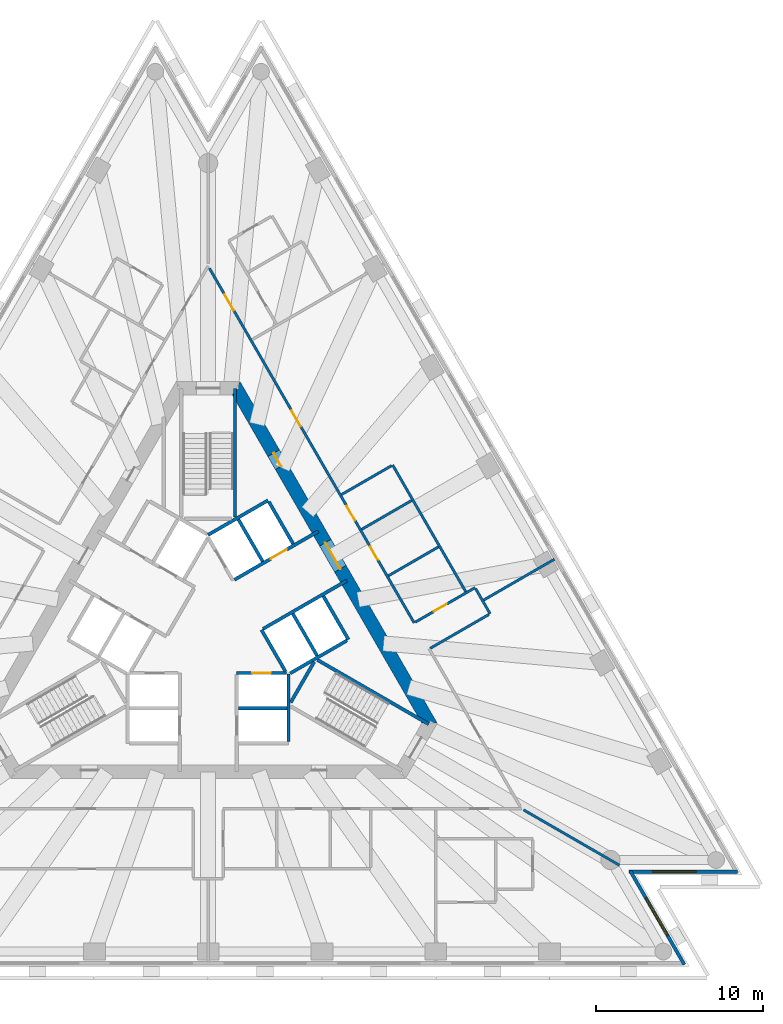
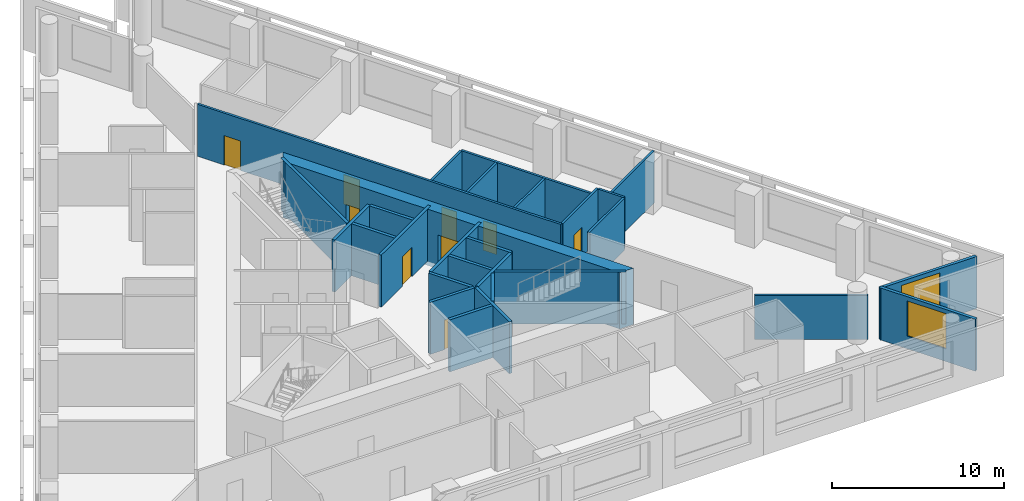
# One storey, part 5 of 9: 28 walls, 9 doors, 2 windows, 11 openings.
"""IFC4 building model written with IfcOpenShell, lengths in metres."""

from ifc_helpers import new_model, si_unit, direction, frame, frame_2d, origin, place, context, subcontext, project, spatial, polyline, rectangle, outline, extrude, material, layer, layer_set, layer_usage, type_object, element, fill, save


model = new_model("IFC4")

# Units and contexts
model_context = context("Model", 3, precision=1e-05, world=origin(), true_north=direction((0.0, 1.0)))
body_context = subcontext(model_context, "Body", "Model", "MODEL_VIEW")
ifc_project = project(units=[si_unit("LENGTHUNIT", "METRE"), si_unit("AREAUNIT", "SQUARE_METRE"), si_unit("VOLUMEUNIT", "CUBIC_METRE"), si_unit("PLANEANGLEUNIT", "RADIAN"), si_unit("MASSUNIT", "GRAM", prefix="KILO")], contexts=[model_context])

# Site, building, storey
site_placement = place(None, origin())
site = spatial("IfcSite", under=ifc_project, at=site_placement, CompositionType="ELEMENT")
building_placement = place(site_placement, origin())
building = spatial("IfcBuilding", under=site, at=building_placement, Name="Triada Interchange Tower", CompositionType="ELEMENT")
storey_placement = place(building_placement, frame((0.0, 0.0, 128.300048828125)))
storey = spatial("IfcBuildingStorey", under=building, at=storey_placement, Name="L29", CompositionType="ELEMENT", Elevation=128.300048828125)

# Wall
ifc_material_1 = material(Name="Concrete C30/37", Category="concrete")
ifc_layer_1 = layer(ifc_material_1, 0.199951171875)
ifc_layer_set_1 = layer_set([ifc_layer_1], Name="CORE WALL 200 EI 120")
wall_type_1 = type_object("IfcWallType", Name="CORE WALL 200 EI 120", PredefinedType="SOLIDWALL", material=ifc_layer_set_1)
wall_1_placement = place(storey_placement, frame((1.800048828125, -4.800048828125, 0.0), z_axis=(0.0, 0.0, 1.0), x_axis=(1.0, 0.0, 0.0)))
element("IfcWall", 1, at=wall_1_placement, inside=storey, type_object=wall_type_1, Name="Wall L29 60", PredefinedType="SOLIDWALL", context=body_context, shape_type="SweptSolid", body=[
    extrude(rectangle(XDim=2.89990234375, YDim=0.199951171875, at=frame_2d((1.449951171875, 0.0))), origin(), (0.0, 0.0, 1.0), 3.699951171875),
])

# Wall, opening, door
wall_2_placement = place(storey_placement, frame((1.702880859375, -2.699951171875, 0.0), z_axis=(0.0, 0.0, 1.0), x_axis=(1.0, 0.0, 0.0)))
wall_2 = element("IfcWall", 2, at=wall_2_placement, inside=storey, type_object=wall_type_1, Name="Wall L29 63", PredefinedType="SOLIDWALL", context=body_context, shape_type="SweptSolid", body=[
    extrude(rectangle(XDim=2.97314453125, YDim=0.199951171875, at=frame_2d((1.486572265625, 0.0))), origin(), (0.0, 0.0, 1.0), 3.699951171875),
])
opening_1_placement = place(wall_2_placement, frame((0.93603515625, 0.0, 0.0)))
opening_1 = element("IfcOpeningElement", 3, at=opening_1_placement, cuts=wall_2, Name="Opening LD-LR1", PredefinedType="OPENING", context=body_context, shape_type="SweptSolid", body=[
    extrude(rectangle(XDim=1.10009765625, YDim=2.10009765625, at=frame_2d((0.550048828125, 1.050048828125))), frame((0.0, 0.10986328125, 0.0), z_axis=(0.0, -1.0, 0.0), x_axis=(1.0, 0.0, 0.0)), (0.0, 0.0, 1.0), 0.219970703125),
])
ifc_material_2 = material(Name="Steel S235 door leaf", Category="steel")
door_type_1 = type_object("IfcDoorType", Name="LIFT LANDING DOOR 1100 EI 120", OperationType="SLIDING_TO_LEFT", PredefinedType="DOOR", material=ifc_material_2)
door_1_placement = place(opening_1_placement, origin())
door_1 = element("IfcDoor", 4, at=door_1_placement, inside=storey, type_object=door_type_1, Name="LR1 landing door L29", OperationType="SLIDING_TO_LEFT", OverallHeight=2.10009765625, OverallWidth=1.10009765625, PredefinedType="DOOR", context=body_context, shape_type="SweptSolid", body=[
    extrude(rectangle(XDim=1.10009765625, YDim=2.10009765625, at=frame_2d((0.550048828125, 1.050048828125))), frame((0.0, 0.02490234375, 0.0), z_axis=(0.0, -1.0, 0.0), x_axis=(1.0, 0.0, 0.0)), (0.0, 0.0, 1.0), 0.050048828125),
])
fill(opening_1, door_1)

# Walls
wall_3_placement = place(storey_placement, frame((-0.001953125, 5.5419921875, 0.0), z_axis=(0.0, 0.0, 1.0), x_axis=(0.866103910842, 0.499863997127, 0.0)))
element("IfcWall", 5, at=wall_3_placement, inside=storey, type_object=wall_type_1, Name="Wall L29 64", PredefinedType="SOLIDWALL", context=body_context, shape_type="SweptSolid", body=[
    extrude(rectangle(XDim=4.131103515625, YDim=0.199951171875, at=frame_2d((2.0654296875, 0.0))), origin(), (0.0, 0.0, 1.0), 3.699951171875),
])
wall_4_placement = place(storey_placement, frame((3.18994140625, -0.125, 0.0), z_axis=(0.0, 0.0, 1.0), x_axis=(0.499988658015, -0.866031951983, 0.0)))
element("IfcWall", 6, at=wall_4_placement, inside=storey, type_object=wall_type_1, Name="Wall L29 66", PredefinedType="SOLIDWALL", context=body_context, shape_type="SweptSolid", body=[
    extrude(rectangle(XDim=2.85791015625, YDim=0.199951171875, at=frame_2d((1.428955078125, 0.0))), origin(), (0.0, 0.0, 1.0), 3.699951171875),
])

# Wall, opening, door
wall_5_placement = place(storey_placement, frame((1.576904296875, 2.8740234375, 0.0), z_axis=(0.0, 0.0, 1.0), x_axis=(0.866073694534, 0.499916348638, 0.0)))
wall_5 = element("IfcWall", 7, at=wall_5_placement, inside=storey, type_object=wall_type_1, Name="Wall L29 67", PredefinedType="SOLIDWALL", context=body_context, shape_type="SweptSolid", body=[
    extrude(rectangle(XDim=5.77685546875, YDim=0.199951171875, at=frame_2d((2.888427734375, 0.0))), origin(), (0.0, 0.0, 1.0), 3.699951171875),
])
opening_2_placement = place(wall_5_placement, frame((2.4970703125, 0.0, 0.0)))
opening_2 = element("IfcOpeningElement", 8, at=opening_2_placement, cuts=wall_5, Name="Opening LD-LR6", PredefinedType="OPENING", context=body_context, shape_type="SweptSolid", body=[
    extrude(rectangle(XDim=1.10009765625, YDim=2.10009765625, at=frame_2d((0.550048828125, 1.050048828125))), frame((0.0, 0.10986328125, 0.0), z_axis=(0.0, -1.0, 0.0), x_axis=(1.0, 0.0, 0.0)), (0.0, 0.0, 1.0), 0.219970703125),
])
door_2_placement = place(opening_2_placement, origin())
door_2 = element("IfcDoor", 9, at=door_2_placement, inside=storey, type_object=door_type_1, Name="LR6 landing door L29", OperationType="SLIDING_TO_LEFT", OverallHeight=2.10009765625, OverallWidth=1.10009765625, PredefinedType="DOOR", context=body_context, shape_type="SweptSolid", body=[
    extrude(rectangle(XDim=1.10009765625, YDim=2.10009765625, at=frame_2d((0.550048828125, 1.050048828125))), frame((0.0, 0.02490234375, 0.0), z_axis=(0.0, -1.0, 0.0), x_axis=(1.0, 0.0, 0.0)), (0.0, 0.0, 1.0), 0.050048828125),
])
fill(opening_2, door_2)

# Walls
wall_6_placement = place(storey_placement, frame((4.800048828125, -6.800048828125, 0.0), z_axis=(0.0, 0.0, 1.0), x_axis=(0.0, 1.0, 0.0)))
element("IfcWall", 10, at=wall_6_placement, inside=storey, type_object=wall_type_1, Name="Wall L29 69", PredefinedType="SOLIDWALL", context=body_context, shape_type="SweptSolid", body=[
    extrude(rectangle(XDim=4.029052734375, YDim=0.199951171875, at=frame_2d((2.0146484375, 0.0))), origin(), (0.0, 0.0, 1.0), 3.699951171875),
])
wall_7_placement = place(storey_placement, frame((3.6259765625, 7.52001953125, 0.0), z_axis=(0.0, 0.0, 1.0), x_axis=(0.500060147554, -0.865990674793, 0.0)))
element("IfcWall", 11, at=wall_7_placement, inside=storey, type_object=wall_type_1, Name="Wall L29 70", PredefinedType="SOLIDWALL", context=body_context, shape_type="SweptSolid", body=[
    extrude(rectangle(XDim=2.899658203125, YDim=0.199951171875, at=frame_2d((1.44970703125, 0.0))), origin(), (0.0, 0.0, 1.0), 3.699951171875),
])
wall_8_placement = place(storey_placement, frame((6.8759765625, 1.89111328125, 0.0), z_axis=(0.0, 0.0, 1.0), x_axis=(0.499990139034, -0.866031096941, 0.0)))
element("IfcWall", 12, at=wall_8_placement, inside=storey, type_object=wall_type_1, Name="Wall L29 71", PredefinedType="SOLIDWALL", context=body_context, shape_type="SweptSolid", body=[
    extrude(rectangle(XDim=3.0, YDim=0.199951171875, at=frame_2d((1.5, 0.0))), origin(), (0.0, 0.0, 1.0), 3.699951171875),
])
for number, where, z_axis, x_axis, name in (
    (13, (1.806884765625, 6.469970703125, 0.0), (0.0, 0.0, 1.0), (0.50012328804, -0.865954211699, 0.0), "Wall L29 72"),
    (14, (5.056884765625, 0.841064453125, 0.0), (0.0, 0.0, 1.0), (0.50012328804, -0.865954211699, 0.0), "Wall L29 73"),
):
    element("IfcWall", number, at=place(storey_placement, frame(where, z_axis=z_axis, x_axis=x_axis)), inside=storey, type_object=wall_type_1, Name=name, PredefinedType="SOLIDWALL", context=body_context, shape_type="SweptSolid", body=[
        extrude(rectangle(XDim=2.899658203125, YDim=0.199951171875, at=frame_2d((1.44970703125, 0.0))), origin(), (0.0, 0.0, 1.0), 3.699951171875),
    ])
wall_9_placement = place(storey_placement, frame((3.278076171875, -0.071044921875, 0.0), z_axis=(0.0, 0.0, 1.0), x_axis=(0.865929348003, 0.5001663366, 0.0)))
element("IfcWall", 15, at=wall_9_placement, inside=storey, type_object=wall_type_1, Name="Wall L29 74", PredefinedType="SOLIDWALL", context=body_context, shape_type="SweptSolid", body=[
    extrude(rectangle(XDim=5.7763671875, YDim=0.199951171875, at=frame_2d((2.88818359375, 0.0))), origin(), (0.0, 0.0, 1.0), 3.699951171875),
])
wall_10_placement = place(storey_placement, frame((4.89990234375, -2.714111328125, 0.0), z_axis=(0.0, 0.0, 1.0), x_axis=(0.865992350556, 0.500057245502, 0.0)))
element("IfcWall", 16, at=wall_10_placement, inside=storey, type_object=wall_type_1, Name="Wall L29 75", PredefinedType="SOLIDWALL", context=body_context, shape_type="SweptSolid", body=[
    extrude(rectangle(XDim=3.91357421875, YDim=0.199951171875, at=frame_2d((1.956787109375, 0.0))), origin(), (0.0, 0.0, 1.0), 3.699951171875),
])
ifc_layer_2 = layer(ifc_material_1, 0.199951171875)
ifc_layer_set_2 = layer_set([ifc_layer_2], Name="CORE WALL 200 REI 240")
wall_type_2 = type_object("IfcWallType", Name="CORE WALL 200 REI 240", PredefinedType="SOLIDWALL", material=ifc_layer_set_2)
wall_11_placement = place(storey_placement, frame((1.60009765625, 6.614990234375, 0.0), z_axis=(0.0, 0.0, 1.0), x_axis=(0.0, 1.0, 0.0)))
element("IfcWall", 17, at=wall_11_placement, inside=storey, type_object=wall_type_2, Name="Wall L29 95", PredefinedType="SOLIDWALL", context=body_context, shape_type="SweptSolid", body=[
    extrude(rectangle(XDim=7.6650390625, YDim=0.199951171875, at=frame_2d((3.83251953125, 0.0))), origin(), (0.0, 0.0, 1.0), 3.699951171875),
])
wall_12_placement = place(storey_placement, frame((4.928955078125, -4.4619140625, 0.0), z_axis=(0.0, 0.0, 1.0), x_axis=(0.500200581029, 0.865909567298, 0.0)))
element("IfcWall", 18, at=wall_12_placement, inside=storey, type_object=wall_type_2, Name="Wall L29 99", PredefinedType="SOLIDWALL", context=body_context, shape_type="SweptSolid", body=[
    extrude(rectangle(XDim=2.799072265625, YDim=0.199951171875, at=frame_2d((1.3994140625, 0.0))), origin(), (0.0, 0.0, 1.0), 3.699951171875),
])
wall_13_placement = place(storey_placement, frame((6.529052734375, -1.922119140625, 0.0), z_axis=(0.0, 0.0, 1.0), x_axis=(0.866060938598, -0.499938446846, 0.0)))
element("IfcWall", 19, at=wall_13_placement, inside=storey, type_object=wall_type_2, Name="Wall L29 100", PredefinedType="SOLIDWALL", context=body_context, shape_type="SweptSolid", body=[
    extrude(rectangle(XDim=7.66455078125, YDim=0.199951171875, at=frame_2d((3.832275390625, 0.0))), origin(), (0.0, 0.0, 1.0), 3.699951171875),
])

# Wall, openings, doors
ifc_material_3 = material(Name="Concrete C60/75", Category="concrete")
ifc_layer_3 = layer(ifc_material_3, 0.800048828125)
ifc_layer_set_3 = layer_set([ifc_layer_3], Name="Core wall B 800")
wall_type_3 = type_object("IfcWallType", Name="Core wall B 800", PredefinedType="SHEAR", material=ifc_layer_set_3)
wall_14_placement = place(storey_placement, frame((13.220947265625, -5.699951171875, -0.300048828125), z_axis=(0.0, 0.0, 1.0), x_axis=(-0.499995765644, 0.866027848477, 0.0)))
wall_14 = element("IfcWall", 20, at=wall_14_placement, inside=storey, type_object=wall_type_3, Name="Core wall WB06 L29", PredefinedType="SHEAR", context=body_context, shape_type="SweptSolid", body=[
    extrude(outline(polyline([(-0.23095703125, -0.39990234375), (1.73193359375, -0.39990234375), (3.695068359375, -0.39990234375), (5.657958984375, -0.39990234375), (7.62109375, -0.39990234375), (9.583984375, -0.39990234375), (11.546875, -0.39990234375), (13.510009765625, -0.39990234375), (15.472900390625, -0.39990234375), (17.43603515625, -0.39990234375), (19.39892578125, -0.39990234375), (21.362060546875, -0.39990234375), (23.324951171875, -0.39990234375), (22.863037109375, 0.39990234375), (20.97705078125, 0.39990234375), (19.091064453125, 0.39990234375), (17.205078125, 0.39990234375), (15.319091796875, 0.39990234375), (13.43310546875, 0.39990234375), (11.546875, 0.39990234375), (9.660888671875, 0.39990234375), (7.77490234375, 0.39990234375), (5.888916015625, 0.39990234375), (4.0029296875, 0.39990234375), (2.116943359375, 0.39990234375), (0.23095703125, 0.39990234375), (-0.23095703125, -0.39990234375)])), origin(), (0.0, 0.0, 1.0), 4.0),
])
opening_3_placement = place(wall_14_placement, frame((10.64697265625, 0.0, 0.300048828125)))
opening_3 = element("IfcOpeningElement", 21, at=opening_3_placement, cuts=wall_14, Name="Opening D29-37", PredefinedType="OPENING", context=body_context, shape_type="SweptSolid", body=[
    extrude(rectangle(XDim=1.800048828125, YDim=2.10009765625, at=frame_2d((0.89990234375, 1.050048828125))), frame((0.0, 0.409912109375, 0.0), z_axis=(0.0, -1.0, 0.0), x_axis=(1.0, 0.0, 0.0)), (0.0, 0.0, 1.0), 0.820068359375),
])
opening_4_placement = place(wall_14_placement, frame((17.720947265625, 0.0, 0.300048828125)))
opening_4 = element("IfcOpeningElement", 22, at=opening_4_placement, cuts=wall_14, Name="Opening D29-44", PredefinedType="OPENING", context=body_context, shape_type="SweptSolid", body=[
    extrude(rectangle(XDim=0.89990234375, YDim=2.10009765625, at=frame_2d((0.449951171875, 1.050048828125))), frame((0.0, 0.409912109375, 0.0), z_axis=(0.0, -1.0, 0.0), x_axis=(1.0, 0.0, 0.0)), (0.0, 0.0, 1.0), 0.820068359375),
])
door_type_2 = type_object("IfcDoorType", Name="LOBBY DOOR 1800 EI2 90-C5S200", OperationType="DOUBLE_DOOR_SINGLE_SWING", PredefinedType="DOOR", material=ifc_material_2)
door_3_placement = place(opening_3_placement, origin())
door_3 = element("IfcDoor", 23, at=door_3_placement, inside=storey, type_object=door_type_2, Name="Door D29-37 L29", OperationType="DOUBLE_DOOR_SINGLE_SWING", OverallHeight=2.10009765625, OverallWidth=1.800048828125, PredefinedType="DOOR", context=body_context, shape_type="SweptSolid", body=[
    extrude(rectangle(XDim=1.800048828125, YDim=2.10009765625, at=frame_2d((0.89990234375, 1.050048828125))), frame((0.0, 0.02490234375, 0.0), z_axis=(0.0, -1.0, 0.0), x_axis=(1.0, 0.0, 0.0)), (0.0, 0.0, 1.0), 0.050048828125),
])
fill(opening_3, door_3)
door_type_3 = type_object("IfcDoorType", Name="SERVICE DOOR 900 EI2 45-C5S200", OperationType="NOTDEFINED", PredefinedType="DOOR", material=ifc_material_2)
door_4_placement = place(opening_4_placement, origin())
door_4 = element("IfcDoor", 24, at=door_4_placement, inside=storey, type_object=door_type_3, Name="Door D29-44 L29", OperationType="SINGLE_SWING_RIGHT", OverallHeight=2.10009765625, OverallWidth=0.89990234375, PredefinedType="DOOR", context=body_context, shape_type="SweptSolid", body=[
    extrude(rectangle(XDim=0.89990234375, YDim=2.10009765625, at=frame_2d((0.449951171875, 1.050048828125))), frame((0.0, 0.02490234375, 0.0), z_axis=(0.0, -1.0, 0.0), x_axis=(1.0, 0.0, 0.0)), (0.0, 0.0, 1.0), 0.050048828125),
])
fill(opening_4, door_4)

# Wall, opening, window
ifc_material_4 = material(Name="Cement board")
ifc_layer_4 = layer(ifc_material_4, 0.02001953125, Name="Cement board cladding")
ifc_material_5 = material(Name="Sheathing board")
ifc_layer_5 = layer(ifc_material_5, 0.014892578125, Name="Sheathing board")
ifc_material_6 = material(Name="Mineral wool")
ifc_layer_6 = layer(ifc_material_6, 0.14990234375, Name="Mineral wool between steel studs")
ifc_material_7 = material(Name="Gypsum board")
ifc_layer_7 = layer(ifc_material_7, 0.014892578125, Name="Plasterboard lining")
ifc_layer_set_4 = layer_set([ifc_layer_4, ifc_layer_5, ifc_layer_6, ifc_layer_7], Name="External wall 200")
ifc_layer_usage = layer_usage(ifc_layer_set_4, "AXIS2", "POSITIVE", -0.10009765625)
wall_type_4 = type_object("IfcWallType", Name="External wall 200", PredefinedType="ELEMENTEDWALL", material=ifc_layer_set_4)
wall_15_placement = place(storey_placement, frame((28.43408203125, -20.110107421875, 0.0), z_axis=(0.0, 0.0, 1.0), x_axis=(-0.499975110204, 0.866039773438, 0.0)))
wall_15 = element("IfcWall", 25, at=wall_15_placement, inside=storey, type_object=wall_type_4, material=ifc_layer_usage, Name="External wall L29 SE-1", PredefinedType="ELEMENTEDWALL", context=body_context, shape_type="SweptSolid", body=[
    extrude(rectangle(XDim=6.468505859375, YDim=0.199951171875, at=frame_2d((3.234375, 0.0))), origin(), (0.0, 0.0, 1.0), 3.699951171875),
])
opening_5_placement = place(wall_15_placement, frame((1.989990234375, 0.0, 0.89990234375)))
opening_5 = element("IfcOpeningElement", 26, at=opening_5_placement, cuts=wall_15, Name="Opening WB19", PredefinedType="OPENING", context=body_context, shape_type="SweptSolid", body=[
    extrude(rectangle(XDim=2.60009765625, YDim=2.5, at=frame_2d((1.300048828125, 1.25))), frame((0.0, 0.10986328125, 0.0), z_axis=(0.0, -1.0, 0.0), x_axis=(1.0, 0.0, 0.0)), (0.0, 0.0, 1.0), 0.219970703125),
])
ifc_material_8 = material(Name="Double glazed aluminium window", Category="aluminium")
window_type = type_object("IfcWindowType", Name="Ribbon window B pocket", PartitioningType="SINGLE_PANEL", PredefinedType="WINDOW", material=ifc_material_8)
window_1_placement = place(opening_5_placement, origin())
window_1 = element("IfcWindow", 27, at=window_1_placement, inside=storey, type_object=window_type, Name="Window L29 SE-1 1", OverallHeight=2.5, OverallWidth=2.60009765625, PartitioningType="SINGLE_PANEL", PredefinedType="WINDOW", context=body_context, shape_type="SweptSolid", body=[
    extrude(rectangle(XDim=2.60009765625, YDim=2.5, at=frame_2d((1.300048828125, 1.25))), frame((0.0, 0.030029296875, 0.0), z_axis=(0.0, -1.0, 0.0), x_axis=(1.0, 0.0, 0.0)), (0.0, 0.0, 1.0), 0.06005859375),
])
fill(opening_5, window_1)

wall_16_placement = place(storey_placement, frame((25.14501953125, -14.569091796875, 0.0), z_axis=(0.0, 0.0, 1.0), x_axis=(1.0, 0.0, 0.0)))
wall_16 = element("IfcWall", 28, at=wall_16_placement, inside=storey, type_object=wall_type_4, material=ifc_layer_usage, Name="External wall L29 SE-2", PredefinedType="ELEMENTEDWALL", context=body_context, shape_type="SweptSolid", body=[
    extrude(rectangle(XDim=6.468017578125, YDim=0.199951171875, at=frame_2d((3.23388671875, 0.0))), origin(), (0.0, 0.0, 1.0), 3.699951171875),
])
opening_6_placement = place(wall_16_placement, frame((1.389892578125, 0.0, 0.89990234375)))
opening_6 = element("IfcOpeningElement", 29, at=opening_6_placement, cuts=wall_16, Name="Opening WB20", PredefinedType="OPENING", context=body_context, shape_type="SweptSolid", body=[
    extrude(rectangle(XDim=2.60009765625, YDim=2.5, at=frame_2d((1.300048828125, 1.25))), frame((0.0, 0.10986328125, 0.0), z_axis=(0.0, -1.0, 0.0), x_axis=(1.0, 0.0, 0.0)), (0.0, 0.0, 1.0), 0.219970703125),
])
window_2_placement = place(opening_6_placement, origin())
window_2 = element("IfcWindow", 30, at=window_2_placement, inside=storey, type_object=window_type, Name="Window L29 SE-2 1", OverallHeight=2.5, OverallWidth=2.60009765625, PartitioningType="SINGLE_PANEL", PredefinedType="WINDOW", context=body_context, shape_type="SweptSolid", body=[
    extrude(rectangle(XDim=2.60009765625, YDim=2.5, at=frame_2d((1.300048828125, 1.25))), frame((0.0, 0.030029296875, 0.0), z_axis=(0.0, -1.0, 0.0), x_axis=(1.0, 0.0, 0.0)), (0.0, 0.0, 1.0), 0.06005859375),
])
fill(opening_6, window_2)

# Wall
ifc_material_9 = material(Name="Gypsum board partition")
ifc_layer_8 = layer(ifc_material_9, 0.14990234375)
ifc_layer_set_5 = layer_set([ifc_layer_8], Name="PARTITION 150 EI 180")
wall_type_5 = type_object("IfcWallType", Name="PARTITION 150 EI 180", PredefinedType="PARTITIONING", material=ifc_layer_set_5)
wall_17_placement = place(storey_placement, frame((18.8359375, -10.875, 0.0), z_axis=(0.0, 0.0, 1.0), x_axis=(0.866045319897, -0.499965502695, 0.0)))
element("IfcWall", 31, at=wall_17_placement, inside=storey, type_object=wall_type_5, Name="Wall L29 9", PredefinedType="PARTITIONING", context=body_context, shape_type="SweptSolid", body=[
    extrude(rectangle(XDim=6.6083984375, YDim=0.14990234375, at=frame_2d((3.30419921875, 0.0))), origin(), (0.0, 0.0, 1.0), 3.14990234375),
])

# Wall, openings, doors
wall_18_placement = place(storey_placement, frame((0.075927734375, 21.468017578125, 0.0), z_axis=(0.0, 0.0, 1.0), x_axis=(0.50001203818, -0.866018453426, 0.0)))
wall_18 = element("IfcWall", 32, at=wall_18_placement, inside=storey, type_object=wall_type_5, Name="Wall L29 24", PredefinedType="PARTITIONING", context=body_context, shape_type="SweptSolid", body=[
    extrude(rectangle(XDim=24.44775390625, YDim=0.14990234375, at=frame_2d((12.223876953125, 0.0))), origin(), (0.0, 0.0, 1.0), 3.699951171875),
])
opening_7_placement = place(wall_18_placement, frame((9.798095703125, 0.0, 0.0)))
opening_7 = element("IfcOpeningElement", 33, at=opening_7_placement, cuts=wall_18, Name="Opening D29-22", PredefinedType="OPENING", context=body_context, shape_type="SweptSolid", body=[
    extrude(rectangle(XDim=1.10009765625, YDim=2.10009765625, at=frame_2d((0.550048828125, 1.050048828125))), frame((0.0, 0.0849609375, 0.0), z_axis=(0.0, -1.0, 0.0), x_axis=(1.0, 0.0, 0.0)), (0.0, 0.0, 1.0), 0.169921875),
])
opening_8_placement = place(wall_18_placement, frame((19.197998046875, 0.0, 0.0)))
opening_8 = element("IfcOpeningElement", 34, at=opening_8_placement, cuts=wall_18, Name="Opening D29-24", PredefinedType="OPENING", context=body_context, shape_type="SweptSolid", body=[
    extrude(rectangle(XDim=0.89990234375, YDim=2.10009765625, at=frame_2d((0.449951171875, 1.050048828125))), frame((0.0, 0.0849609375, 0.0), z_axis=(0.0, -1.0, 0.0), x_axis=(1.0, 0.0, 0.0)), (0.0, 0.0, 1.0), 0.169921875),
])
opening_9_placement = place(wall_18_placement, frame((16.39794921875, 0.0, 0.0)))
opening_9 = element("IfcOpeningElement", 35, at=opening_9_placement, cuts=wall_18, Name="Opening D29-25", PredefinedType="OPENING", context=body_context, shape_type="SweptSolid", body=[
    extrude(rectangle(XDim=1.0, YDim=2.10009765625, at=frame_2d((0.5, 1.050048828125))), frame((0.0, 0.0849609375, 0.0), z_axis=(0.0, -1.0, 0.0), x_axis=(1.0, 0.0, 0.0)), (0.0, 0.0, 1.0), 0.169921875),
])
opening_10_placement = place(wall_18_placement, frame((1.81494140625, 0.0, 0.0)))
opening_10 = element("IfcOpeningElement", 36, at=opening_10_placement, cuts=wall_18, Name="Opening D29-26", PredefinedType="OPENING", context=body_context, shape_type="SweptSolid", body=[
    extrude(rectangle(XDim=1.10009765625, YDim=2.10009765625, at=frame_2d((0.550048828125, 1.050048828125))), frame((0.0, 0.0849609375, 0.0), z_axis=(0.0, -1.0, 0.0), x_axis=(1.0, 0.0, 0.0)), (0.0, 0.0, 1.0), 0.169921875),
])
door_type_4 = type_object("IfcDoorType", Name="ROOM DOOR 1000 EI2 90-C5S200", OperationType="NOTDEFINED", PredefinedType="DOOR", material=ifc_material_2)
door_5_placement = place(opening_9_placement, origin())
door_5 = element("IfcDoor", 37, at=door_5_placement, inside=storey, type_object=door_type_4, Name="Door D29-25 L29", OperationType="SINGLE_SWING_LEFT", OverallHeight=2.10009765625, OverallWidth=1.0, PredefinedType="DOOR", context=body_context, shape_type="SweptSolid", body=[
    extrude(rectangle(XDim=1.0, YDim=2.10009765625, at=frame_2d((0.5, 1.050048828125))), frame((0.0, 0.02490234375, 0.0), z_axis=(0.0, -1.0, 0.0), x_axis=(1.0, 0.0, 0.0)), (0.0, 0.0, 1.0), 0.050048828125),
])
fill(opening_9, door_5)
door_type_5 = type_object("IfcDoorType", Name="ROOM DOOR 900 EI2 90-C5S200", OperationType="NOTDEFINED", PredefinedType="DOOR", material=ifc_material_2)
door_6_placement = place(opening_8_placement, origin())
door_6 = element("IfcDoor", 38, at=door_6_placement, inside=storey, type_object=door_type_5, Name="Door D29-24 L29", OperationType="SINGLE_SWING_LEFT", OverallHeight=2.10009765625, OverallWidth=0.89990234375, PredefinedType="DOOR", context=body_context, shape_type="SweptSolid", body=[
    extrude(rectangle(XDim=0.89990234375, YDim=2.10009765625, at=frame_2d((0.449951171875, 1.050048828125))), frame((0.0, 0.02490234375, 0.0), z_axis=(0.0, -1.0, 0.0), x_axis=(1.0, 0.0, 0.0)), (0.0, 0.0, 1.0), 0.050048828125),
])
fill(opening_8, door_6)
door_type_6 = type_object("IfcDoorType", Name="TENANCY ENTRANCE DOOR 1100 EI2 90-C5S200", OperationType="NOTDEFINED", PredefinedType="DOOR", material=ifc_material_2)
door_7_placement = place(opening_7_placement, origin())
door_7 = element("IfcDoor", 39, at=door_7_placement, inside=storey, type_object=door_type_6, Name="Door D29-22 L29", OperationType="SINGLE_SWING_LEFT", OverallHeight=2.10009765625, OverallWidth=1.10009765625, PredefinedType="DOOR", context=body_context, shape_type="SweptSolid", body=[
    extrude(rectangle(XDim=1.10009765625, YDim=2.10009765625, at=frame_2d((0.550048828125, 1.050048828125))), frame((0.0, 0.02490234375, 0.0), z_axis=(0.0, -1.0, 0.0), x_axis=(1.0, 0.0, 0.0)), (0.0, 0.0, 1.0), 0.050048828125),
])
fill(opening_7, door_7)
door_8_placement = place(opening_10_placement, origin())
door_8 = element("IfcDoor", 40, at=door_8_placement, inside=storey, type_object=door_type_6, Name="Door D29-26 L29", OperationType="SINGLE_SWING_LEFT", OverallHeight=2.10009765625, OverallWidth=1.10009765625, PredefinedType="DOOR", context=body_context, shape_type="SweptSolid", body=[
    extrude(rectangle(XDim=1.10009765625, YDim=2.10009765625, at=frame_2d((0.550048828125, 1.050048828125))), frame((0.0, 0.02490234375, 0.0), z_axis=(0.0, -1.0, 0.0), x_axis=(1.0, 0.0, 0.0)), (0.0, 0.0, 1.0), 0.050048828125),
])
fill(opening_10, door_8)

# Walls
wall_19_placement = place(storey_placement, frame((11.01806640625, 9.717041015625, 0.0), z_axis=(0.0, 0.0, 1.0), x_axis=(0.499888770922, -0.866089612399, 0.0)))
element("IfcWall", 41, at=wall_19_placement, inside=storey, type_object=wall_type_5, Name="Wall L29 31", PredefinedType="PARTITIONING", context=body_context, shape_type="SweptSolid", body=[
    extrude(rectangle(XDim=8.7255859375, YDim=0.14990234375, at=frame_2d((4.36279296875, 0.0))), origin(), (0.0, 0.0, 1.0), 3.699951171875),
])
wall_20_placement = place(storey_placement, frame((7.965087890625, 7.9541015625, 0.0), z_axis=(0.0, 0.0, 1.0), x_axis=(0.866044174857, 0.499967486139, 0.0)))
element("IfcWall", 42, at=wall_20_placement, inside=storey, type_object=wall_type_5, Name="Wall L29 32", PredefinedType="PARTITIONING", context=body_context, shape_type="SweptSolid", body=[
    extrude(rectangle(XDim=3.449951171875, YDim=0.14990234375, at=frame_2d((1.72509765625, 0.0))), origin(), (0.0, 0.0, 1.0), 3.699951171875),
])
for number, where, z_axis, x_axis, name in (
    (43, (9.1650390625, 5.8759765625, 0.0), (0.0, 0.0, 1.0), (0.866031223622, 0.49998991961, 0.0), "Wall L29 33"),
    (44, (10.764892578125, 3.10400390625, 0.0), (0.0, 0.0, 1.0), (0.866031223622, 0.49998991961, 0.0), "Wall L29 34"),
):
    element("IfcWall", number, at=place(storey_placement, frame(where, z_axis=z_axis, x_axis=x_axis)), inside=storey, type_object=wall_type_5, Name=name, PredefinedType="PARTITIONING", context=body_context, shape_type="SweptSolid", body=[
        extrude(rectangle(XDim=3.4501953125, YDim=0.14990234375, at=frame_2d((1.72509765625, 0.0))), origin(), (0.0, 0.0, 1.0), 3.699951171875),
    ])

# Wall, opening, door
wall_21_placement = place(storey_placement, frame((12.365966796875, 0.3330078125, 0.0), z_axis=(0.0, 0.0, 1.0), x_axis=(0.865997263264, 0.500048737644, 0.0)))
wall_21 = element("IfcWall", 45, at=wall_21_placement, inside=storey, type_object=wall_type_5, Name="Wall L29 35", PredefinedType="PARTITIONING", context=body_context, shape_type="SweptSolid", body=[
    extrude(rectangle(XDim=4.12353515625, YDim=0.14990234375, at=frame_2d((2.061767578125, 0.0))), origin(), (0.0, 0.0, 1.0), 3.699951171875),
])
opening_11_placement = place(wall_21_placement, frame((1.27392578125, 0.0, 0.0)))
opening_11 = element("IfcOpeningElement", 46, at=opening_11_placement, cuts=wall_21, Name="Opening D29-23", PredefinedType="OPENING", context=body_context, shape_type="SweptSolid", body=[
    extrude(rectangle(XDim=0.89990234375, YDim=2.10009765625, at=frame_2d((0.449951171875, 1.050048828125))), frame((0.0, 0.0849609375, 0.0), z_axis=(0.0, -1.0, 0.0), x_axis=(1.0, 0.0, 0.0)), (0.0, 0.0, 1.0), 0.169921875),
])
door_9_placement = place(opening_11_placement, origin())
door_9 = element("IfcDoor", 47, at=door_9_placement, inside=storey, type_object=door_type_5, Name="Door D29-23 L29", OperationType="SINGLE_SWING_LEFT", OverallHeight=2.10009765625, OverallWidth=0.89990234375, PredefinedType="DOOR", context=body_context, shape_type="SweptSolid", body=[
    extrude(rectangle(XDim=0.89990234375, YDim=2.10009765625, at=frame_2d((0.449951171875, 1.050048828125))), frame((0.0, 0.02490234375, 0.0), z_axis=(0.0, -1.0, 0.0), x_axis=(1.0, 0.0, 0.0)), (0.0, 0.0, 1.0), 0.050048828125),
])
fill(opening_11, door_9)

# Walls
wall_22_placement = place(storey_placement, frame((15.97509765625, 2.3310546875, 0.0), z_axis=(0.0, 0.0, 1.0), x_axis=(0.499640762619, -0.866232710263, 0.0)))
element("IfcWall", 48, at=wall_22_placement, inside=storey, type_object=wall_type_5, Name="Wall L29 37", PredefinedType="PARTITIONING", context=body_context, shape_type="SweptSolid", body=[
    extrude(rectangle(XDim=1.724853515625, YDim=0.14990234375, at=frame_2d((0.8623046875, 0.0))), origin(), (0.0, 0.0, 1.0), 3.699951171875),
])
wall_23_placement = place(storey_placement, frame((16.451904296875, 1.654052734375, 0.0), z_axis=(0.0, 0.0, 1.0), x_axis=(0.866097235509, 0.49987556316, 0.0)))
element("IfcWall", 49, at=wall_23_placement, inside=storey, type_object=wall_type_5, Name="Wall L29 38", PredefinedType="PARTITIONING", context=body_context, shape_type="SweptSolid", body=[
    extrude(rectangle(XDim=4.877197265625, YDim=0.14990234375, at=frame_2d((2.4384765625, 0.0))), origin(), (0.0, 0.0, 1.0), 3.699951171875),
])
wall_24_placement = place(storey_placement, frame((13.26611328125, -1.22509765625, 0.0), z_axis=(0.0, 0.0, 1.0), x_axis=(0.866079163253, 0.499906874306, 0.0)))
element("IfcWall", 50, at=wall_24_placement, inside=storey, type_object=wall_type_5, Name="Wall L29 39", PredefinedType="PARTITIONING", context=body_context, shape_type="SweptSolid", body=[
    extrude(rectangle(XDim=4.049072265625, YDim=0.14990234375, at=frame_2d((2.0244140625, 0.0))), origin(), (0.0, 0.0, 1.0), 3.699951171875),
])

save(model, "model.ifc")
